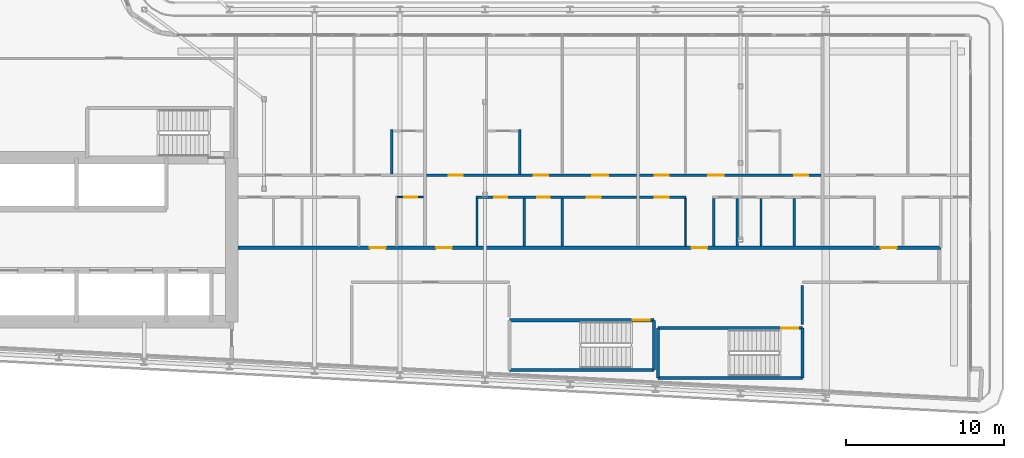
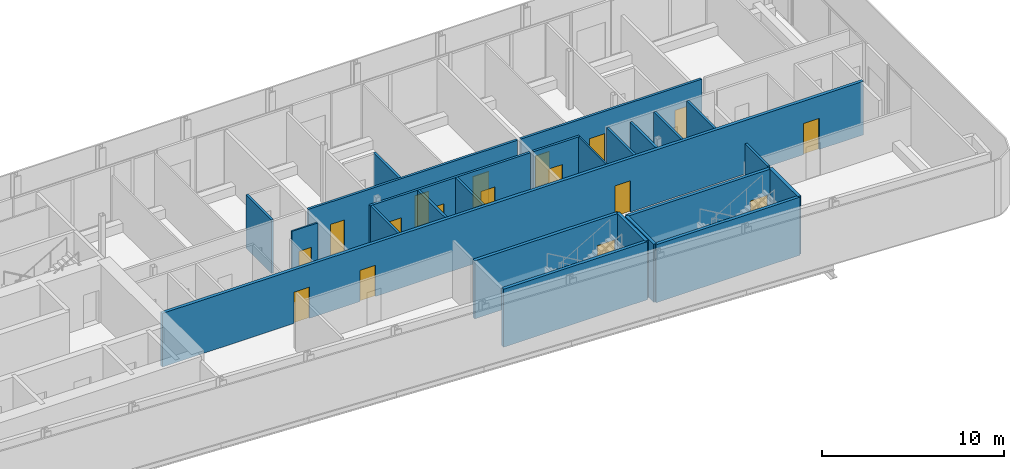
# One storey, part 16 of 28: 24 walls, 17 doors, 17 openings.
"""IFC4 building model written with IfcOpenShell, lengths in metres."""

import ifcopenshell
import ifcopenshell.guid

model = None  # the IFC model being written
_history = None  # IfcOwnerHistory: only IFC2X3 demands one
_inside = {}  # id of a spatial element -> (the spatial element, [elements in it])
_under = {}  # id of a project, library or spatial element -> (it, [spatial elements below it])
_declared = {}  # id of a project -> (the project, [libraries it declares])
_typed = {}  # id of a type object -> (the type object, [elements of that type])
_made_of = {}  # id of a material, layer set ... -> (it, [elements and type objects made of it])


def new_model(schema):
    """Start an empty IFC model of exactly this schema.

    Asked for "IFC4X3", IfcOpenShell would pick the latest addendum, in which some entities
    have other attributes; the version numbers below select the first issue.
    IFC2X3 requires an IfcOwnerHistory on every rooted entity: one is made here for all.
    """
    global model, _history
    if schema == "IFC4X3":
        model = ifcopenshell.file(schema_version=(4, 3, 0, 0))
    else:
        model = ifcopenshell.file(schema=schema)
    _inside.clear()
    _under.clear()
    _declared.clear()
    _typed.clear()
    _made_of.clear()
    _history = None
    if model.schema == "IFC2X3":
        org = make("IfcOrganization", Name="unknown")
        user = make(
            "IfcPersonAndOrganization",
            ThePerson=make("IfcPerson", FamilyName="unknown"),
            TheOrganization=org,
        )
        app = make(
            "IfcApplication",
            ApplicationDeveloper=org,
            Version="unknown",
            ApplicationFullName="unknown",
            ApplicationIdentifier="unknown",
        )
        _history = make(
            "IfcOwnerHistory",
            OwningUser=user,
            OwningApplication=app,
            ChangeAction="ADDED",
            CreationDate=0,
        )
    return model


def make(cls, **values):
    """One entity of the class cls with the attributes given. An attribute that is None is left unset."""
    return model.create_entity(
        cls, **{name: value for name, value in values.items() if value is not None}
    )


def rooted(cls, **values):
    """An entity with a GlobalId (a new one), such as an element, a storey or a relation."""
    return make(cls, GlobalId=ifcopenshell.guid.new(), OwnerHistory=_history, **values)


def si_unit(unit_type, name, prefix=None):
    """IfcSIUnit, for example si_unit("LENGTHUNIT", "METRE", prefix="MILLI")."""
    return make("IfcSIUnit", UnitType=unit_type, Prefix=prefix, Name=name)


def assignment(units):
    """IfcUnitAssignment: the units of a project."""
    return None if units is None else make("IfcUnitAssignment", Units=units)


def point(xyz):
    """IfcCartesianPoint."""
    return None if xyz is None else make("IfcCartesianPoint", Coordinates=xyz)


def direction(xyz):
    """IfcDirection."""
    return None if xyz is None else make("IfcDirection", DirectionRatios=xyz)


def frame(location, z_axis=None, x_axis=None):
    """IfcAxis2Placement3D, a coordinate frame: its origin and axes. An axis left out is left unset."""
    return make(
        "IfcAxis2Placement3D",
        Location=point(location),
        Axis=direction(z_axis),
        RefDirection=direction(x_axis),
    )


def frame_2d(location, x_axis=None):
    """IfcAxis2Placement2D, a coordinate frame in the plane: its origin and x axis."""
    return make(
        "IfcAxis2Placement2D", Location=point(location), RefDirection=direction(x_axis)
    )


def origin():
    """The frame at (0, 0, 0) with its axes left unset."""
    return frame((0.0, 0.0, 0.0))


def place(relative_to, where):
    """IfcLocalPlacement: puts the frame where relative to a parent placement (None: the world)."""
    return make(
        "IfcLocalPlacement", PlacementRelTo=relative_to, RelativePlacement=where
    )


def context(
    kind, dimensions, precision=None, world=None, true_north=None, identifier=None
):
    """IfcGeometricRepresentationContext, for example the 3D "Model" context."""
    return make(
        "IfcGeometricRepresentationContext",
        ContextIdentifier=identifier,
        ContextType=kind,
        CoordinateSpaceDimension=dimensions,
        Precision=precision,
        WorldCoordinateSystem=world,
        TrueNorth=true_north,
    )


def subcontext(parent, identifier, kind, view, scale=None):
    """IfcGeometricRepresentationSubContext, for example "Body" below "Model"."""
    return make(
        "IfcGeometricRepresentationSubContext",
        ContextIdentifier=identifier,
        ContextType=kind,
        ParentContext=parent,
        TargetScale=scale,
        TargetView=view,
    )


def project(units=None, contexts=None):
    """IfcProject with its units and contexts."""
    return rooted(
        "IfcProject",
        Name="project",
        RepresentationContexts=contexts,
        UnitsInContext=assignment(units),
    )


def spatial(cls, under=None, at=None, **own):
    """A site, building, storey or space (cls), placed at a placement, below another one or the project."""
    s = rooted(cls, ObjectPlacement=at, **own)
    if under is not None:
        _under.setdefault(under.id(), (under, []))[1].append(s)
    return s


def profile(cls, at=None, kind="AREA", **sizes):
    """A parametric profile (cls). Its sizes go by their IFC names, for example OverallWidth=200.0."""
    return make(cls, ProfileType=kind, Position=at, **sizes)


def rectangle(**sizes):
    """IfcRectangleProfileDef."""
    return profile("IfcRectangleProfileDef", **sizes)


def extrude(swept, where, along, depth):
    """IfcExtrudedAreaSolid: the profile swept, set in the frame where, extruded along a direction by depth."""
    return make(
        "IfcExtrudedAreaSolid",
        SweptArea=swept,
        Position=where,
        ExtrudedDirection=direction(along),
        Depth=depth,
    )


def shape(context_of_items, identifier, shape_type, items):
    """IfcShapeRepresentation: the items that make up one representation, for example the "Body"."""
    return make(
        "IfcShapeRepresentation",
        ContextOfItems=context_of_items,
        RepresentationIdentifier=identifier,
        RepresentationType=shape_type,
        Items=items,
    )


def source(mapping_origin, context_of_items, identifier, shape_type, items):
    """IfcRepresentationMap: a shape defined once, which mapped items show again and again."""
    return make(
        "IfcRepresentationMap",
        MappingOrigin=mapping_origin,
        MappedRepresentation=shape(context_of_items, identifier, shape_type, items),
    )


def transform(
    local_origin,
    x_axis=None,
    y_axis=None,
    z_axis=None,
    scale=None,
    scale2=None,
    scale3=None,
    uniform=True,
):
    """IfcCartesianTransformationOperator3D, or its non-uniform kind. x_axis, y_axis, z_axis: its Axis1, 2, 3."""
    if uniform:
        return make(
            "IfcCartesianTransformationOperator3D",
            Axis1=direction(x_axis),
            Axis2=direction(y_axis),
            LocalOrigin=point(local_origin),
            Scale=scale,
            Axis3=direction(z_axis),
        )
    return make(
        "IfcCartesianTransformationOperator3DnonUniform",
        Axis1=direction(x_axis),
        Axis2=direction(y_axis),
        LocalOrigin=point(local_origin),
        Scale=scale,
        Axis3=direction(z_axis),
        Scale2=scale2,
        Scale3=scale3,
    )


def mapped(mapping_source, mapping_target):
    """IfcMappedItem: shows the shape of a source again, moved by a transform."""
    return make(
        "IfcMappedItem", MappingSource=mapping_source, MappingTarget=mapping_target
    )


def material(Name=None, Category=None):
    """IfcMaterial."""
    return make("IfcMaterial", Name=Name, Category=Category)


def layer(
    of_material, thickness, ventilated=None, Name=None, Category=None, Priority=None
):
    """IfcMaterialLayer: one layer of a wall or slab, of a material (None: an air gap)."""
    return make(
        "IfcMaterialLayer",
        Material=of_material,
        LayerThickness=thickness,
        IsVentilated=ventilated,
        Name=Name,
        Category=Category,
        Priority=Priority,
    )


def layer_set(layers, Name=None):
    """IfcMaterialLayerSet."""
    return make("IfcMaterialLayerSet", MaterialLayers=layers, LayerSetName=Name)


def made_of(thing, what):
    """Note that an element or type object is made of a material, layer set ...; save() writes the relation."""
    if what is not None:
        _made_of.setdefault(what.id(), (what, []))[1].append(thing)
    return thing


def type_object(cls, material=None, **own):
    """A type object (cls), such as IfcWallType, which elements share."""
    return made_of(rooted(cls, **own), material)


def element(
    cls,
    number,
    at=None,
    inside=None,
    cuts=None,
    type_object=None,
    material=None,
    context=None,
    identifier="Body",
    shape_type=None,
    held_by="IfcProductDefinitionShape",
    body=None,
    shapes=None,
    **own,
):
    """One element of the class cls, such as IfcWall. Its Tag is "e" and its number.

    at: its placement. inside: the storey or other place that contains it. cuts: it is an
    opening in that element (IfcRelVoidsElement). A single representation is given by context,
    identifier, shape_type and body (its items); several are given by shapes. held_by: the class
    of the entity that holds the representations. save() writes the other relations.
    """
    e = rooted(cls, Tag="e%d" % number, ObjectPlacement=at, **own)
    if body is not None:
        shapes = [shape(context, identifier, shape_type, body)]
    if shapes is not None:
        e.Representation = make(held_by, Representations=shapes)
    if inside is not None:
        _inside.setdefault(inside.id(), (inside, []))[1].append(e)
    if cuts is not None:
        rooted(
            "IfcRelVoidsElement", RelatingBuildingElement=cuts, RelatedOpeningElement=e
        )
    if type_object is not None:
        _typed.setdefault(type_object.id(), (type_object, []))[1].append(e)
    return made_of(e, material)


def fill(opening, filler):
    """IfcRelFillsElement: the door or window that sits in an opening."""
    return rooted(
        "IfcRelFillsElement",
        RelatingOpeningElement=opening,
        RelatedBuildingElement=filler,
    )


def aggregate(whole, parts):
    """IfcRelAggregates: a whole, such as a stair, and the parts it consists of."""
    return rooted("IfcRelAggregates", RelatingObject=whole, RelatedObjects=parts)


def save(model, path):
    """Write the relations noted so far, then the file.

    IfcRelAggregates (storeys below a building ...), IfcRelContainedInSpatialStructure (elements
    in a storey), IfcRelDefinesByType, IfcRelAssociatesMaterial and IfcRelDeclares: one each for
    every whole, place, type object, material and project.
    """
    for whole, parts in _under.values():
        aggregate(whole, parts)
    for where, things in _inside.values():
        rooted(
            "IfcRelContainedInSpatialStructure",
            RelatedElements=things,
            RelatingStructure=where,
        )
    for kind, things in _typed.values():
        rooted("IfcRelDefinesByType", RelatedObjects=things, RelatingType=kind)
    for what, things in _made_of.values():
        rooted("IfcRelAssociatesMaterial", RelatedObjects=things, RelatingMaterial=what)
    for by, libraries in _declared.values():
        rooted("IfcRelDeclares", RelatingContext=by, RelatedDefinitions=libraries)
    model.write(path)


model = new_model("IFC4")

# Units and contexts
model_context = context("Model", 3, precision=1e-05, world=origin(), true_north=direction((0.0, 1.0)))
body_context = subcontext(model_context, "Body", "Model", "MODEL_VIEW")
ifc_project = project(units=[si_unit("LENGTHUNIT", "METRE"), si_unit("AREAUNIT", "SQUARE_METRE"), si_unit("VOLUMEUNIT", "CUBIC_METRE"), si_unit("PLANEANGLEUNIT", "RADIAN"), si_unit("MASSUNIT", "GRAM", prefix="KILO")], contexts=[model_context])

# Site, building, storey
site_placement = place(None, origin())
site = spatial("IfcSite", under=ifc_project, at=site_placement, CompositionType="ELEMENT")
building_placement = place(site_placement, origin())
building = spatial("IfcBuilding", under=site, at=building_placement, Name="Kheshtan School and Residences Tower", CompositionType="ELEMENT")
storey_placement = place(building_placement, frame((0.0, 0.0, 187.699951171875)))
storey = spatial("IfcBuildingStorey", under=building, at=storey_placement, Name="L44", CompositionType="ELEMENT", Elevation=187.699951171875)

# Wall, openings, doors
ifc_material_1 = material(Name="Gypsum board on steel studs with fire boards", Category="steel")
ifc_layer_1 = layer(ifc_material_1, 0.199951171875)
ifc_layer_set_1 = layer_set([ifc_layer_1], Name="Corridor wall 200")
wall_type_1 = type_object("IfcWallType", Name="Corridor wall 200", PredefinedType="PARTITIONING", material=ifc_layer_set_1)
wall_1_placement = place(storey_placement, frame((53.549072265625, 30.5, 0.0), z_axis=(0.0, 0.0, 1.0), x_axis=(1.0, 0.0, 0.0)))
wall_1 = element("IfcWall", 1, at=wall_1_placement, inside=storey, type_object=wall_type_1, Name="Partition L44-035", PredefinedType="PARTITIONING", context=body_context, shape_type="SweptSolid", body=[
    extrude(rectangle(XDim=44.551025390625, YDim=0.199951171875, at=frame_2d((22.275390625, 0.0))), origin(), (0.0, 0.0, 1.0), 3.60009765625),
])
opening_1_placement = place(wall_1_placement, frame((8.35107421875, 0.0, 0.0)))
opening_1 = element("IfcOpeningElement", 2, at=opening_1_placement, cuts=wall_1, Name="Opening D43-004", PredefinedType="OPENING", context=body_context, shape_type="SweptSolid", body=[
    extrude(rectangle(XDim=1.0, YDim=2.10009765625, at=frame_2d((0.5, 1.050048828125))), frame((0.0, 0.10986328125, 0.0), z_axis=(0.0, -1.0, 0.0), x_axis=(1.0, 0.0, 0.0)), (0.0, 0.0, 1.0), 0.219970703125),
])
opening_2_placement = place(wall_1_placement, frame((12.551025390625, 0.0, 0.0)))
opening_2 = element("IfcOpeningElement", 3, at=opening_2_placement, cuts=wall_1, Name="Opening D43-013", PredefinedType="OPENING", context=body_context, shape_type="SweptSolid", body=[
    extrude(rectangle(XDim=1.0, YDim=2.10009765625, at=frame_2d((0.5, 1.050048828125))), frame((0.0, 0.10986328125, 0.0), z_axis=(0.0, -1.0, 0.0), x_axis=(1.0, 0.0, 0.0)), (0.0, 0.0, 1.0), 0.219970703125),
])
opening_3_placement = place(wall_1_placement, frame((28.7509765625, 0.0, 0.0)))
opening_3 = element("IfcOpeningElement", 4, at=opening_3_placement, cuts=wall_1, Name="Opening D43-021", PredefinedType="OPENING", context=body_context, shape_type="SweptSolid", body=[
    extrude(rectangle(XDim=1.0, YDim=2.10009765625, at=frame_2d((0.5, 1.050048828125))), frame((0.0, 0.10986328125, 0.0), z_axis=(0.0, -1.0, 0.0), x_axis=(1.0, 0.0, 0.0)), (0.0, 0.0, 1.0), 0.219970703125),
])
opening_4_placement = place(wall_1_placement, frame((40.7509765625, 0.0, 0.0)))
opening_4 = element("IfcOpeningElement", 5, at=opening_4_placement, cuts=wall_1, Name="Opening D43-030", PredefinedType="OPENING", context=body_context, shape_type="SweptSolid", body=[
    extrude(rectangle(XDim=1.0, YDim=2.10009765625, at=frame_2d((0.5, 1.050048828125))), frame((0.0, 0.10986328125, 0.0), z_axis=(0.0, -1.0, 0.0), x_axis=(1.0, 0.0, 0.0)), (0.0, 0.0, 1.0), 0.219970703125),
])
ifc_material_2 = material(Name="Steel-framed fire-resisting door leaf", Category="steel")
door_type_1 = type_object("IfcDoorType", Name="Fire door FD30S 1000 x 2100", OperationType="SINGLE_SWING_LEFT", PredefinedType="DOOR", material=ifc_material_2)
shared_shape_1 = source(origin(), body_context, "Body", "SweptSolid", [
    extrude(rectangle(XDim=1.0, YDim=2.10009765625, at=frame_2d((0.5, 1.050048828125))), frame((0.0, 0.02490234375, 0.0), z_axis=(0.0, -1.0, 0.0), x_axis=(1.0, 0.0, 0.0)), (0.0, 0.0, 1.0), 0.050048828125),
])
door_1_placement = place(opening_1_placement, origin())
door_1 = element("IfcDoor", 6, at=door_1_placement, inside=storey, type_object=door_type_1, Name="Door D43-004", OperationType="SINGLE_SWING_RIGHT", OverallHeight=2.10009765625, OverallWidth=1.0, PredefinedType="DOOR", context=body_context, shape_type="MappedRepresentation", body=[
    mapped(shared_shape_1, transform((0.0, 0.0, 0.0), x_axis=(1.0, 0.0, 0.0), y_axis=(0.0, 1.0, 0.0), z_axis=(0.0, 0.0, 1.0), scale=1.0)),
])
fill(opening_1, door_1)
door_2_placement = place(opening_2_placement, origin())
door_2 = element("IfcDoor", 7, at=door_2_placement, inside=storey, type_object=door_type_1, Name="Door D43-013", OperationType="SINGLE_SWING_LEFT", OverallHeight=2.10009765625, OverallWidth=1.0, PredefinedType="DOOR", context=body_context, shape_type="MappedRepresentation", body=[
    mapped(shared_shape_1, transform((0.0, 0.0, 0.0), x_axis=(1.0, 0.0, 0.0), y_axis=(0.0, 1.0, 0.0), z_axis=(0.0, 0.0, 1.0), scale=1.0)),
])
fill(opening_2, door_2)
door_3_placement = place(opening_3_placement, origin())
door_3 = element("IfcDoor", 8, at=door_3_placement, inside=storey, type_object=door_type_1, Name="Door D43-021", OperationType="SINGLE_SWING_RIGHT", OverallHeight=2.10009765625, OverallWidth=1.0, PredefinedType="DOOR", context=body_context, shape_type="MappedRepresentation", body=[
    mapped(shared_shape_1, transform((0.0, 0.0, 0.0), x_axis=(1.0, 0.0, 0.0), y_axis=(0.0, 1.0, 0.0), z_axis=(0.0, 0.0, 1.0), scale=1.0)),
])
fill(opening_3, door_3)
door_4_placement = place(opening_4_placement, origin())
door_4 = element("IfcDoor", 9, at=door_4_placement, inside=storey, type_object=door_type_1, Name="Door D43-030", OperationType="SINGLE_SWING_RIGHT", OverallHeight=2.10009765625, OverallWidth=1.0, PredefinedType="DOOR", context=body_context, shape_type="MappedRepresentation", body=[
    mapped(shared_shape_1, transform((0.0, 0.0, 0.0), x_axis=(1.0, 0.0, 0.0), y_axis=(0.0, 1.0, 0.0), z_axis=(0.0, 0.0, 1.0), scale=1.0)),
])
fill(opening_4, door_4)

# Wall, opening, door
ifc_material_3 = material(Name="Gypsum board on steel studs", Category="steel")
ifc_layer_2 = layer(ifc_material_3, 0.10009765625)
ifc_layer_set_2 = layer_set([ifc_layer_2], Name="Gypsum partition 100")
wall_type_2 = type_object("IfcWallType", Name="Gypsum partition 100", PredefinedType="PARTITIONING", material=ifc_layer_set_2)
wall_2_placement = place(storey_placement, frame((63.64990234375, 33.699951171875, 0.0), z_axis=(0.0, 0.0, 1.0), x_axis=(1.0, 0.0, 0.0)))
wall_2 = element("IfcWall", 10, at=wall_2_placement, inside=storey, type_object=wall_type_2, Name="Partition L44-046", PredefinedType="PARTITIONING", context=body_context, shape_type="SweptSolid", body=[
    extrude(rectangle(XDim=1.650146484375, YDim=0.10009765625, at=frame_2d((0.8251953125, 0.0))), origin(), (0.0, 0.0, 1.0), 3.60009765625),
])
opening_5_placement = place(wall_2_placement, frame((0.449951171875, 0.0, 0.0)))
opening_5 = element("IfcOpeningElement", 11, at=opening_5_placement, cuts=wall_2, Name="Opening D43-008", PredefinedType="OPENING", context=body_context, shape_type="SweptSolid", body=[
    extrude(rectangle(XDim=0.800048828125, YDim=2.10009765625, at=frame_2d((0.39990234375, 1.050048828125))), frame((0.0, 0.06005859375, 0.0), z_axis=(0.0, -1.0, 0.0), x_axis=(1.0, 0.0, 0.0)), (0.0, 0.0, 1.0), 0.1201171875),
])
ifc_material_4 = material(Name="Veneered timber door leaf", Category="wood")
door_type_2 = type_object("IfcDoorType", Name="Door 800 x 2100", OperationType="SINGLE_SWING_LEFT", PredefinedType="DOOR", material=ifc_material_4)
shared_shape_2 = source(origin(), body_context, "Body", "SweptSolid", [
    extrude(rectangle(XDim=0.800048828125, YDim=2.10009765625, at=frame_2d((0.39990234375, 1.050048828125))), frame((0.0, 0.02490234375, 0.0), z_axis=(0.0, -1.0, 0.0), x_axis=(1.0, 0.0, 0.0)), (0.0, 0.0, 1.0), 0.050048828125),
])
door_5_placement = place(opening_5_placement, origin())
door_5 = element("IfcDoor", 12, at=door_5_placement, inside=storey, type_object=door_type_2, Name="Door D43-008", OperationType="SINGLE_SWING_LEFT", OverallHeight=2.10009765625, OverallWidth=0.800048828125, PredefinedType="DOOR", context=body_context, shape_type="MappedRepresentation", body=[
    mapped(shared_shape_2, transform((0.0, 0.0, 0.0), x_axis=(1.0, 0.0, 0.0), y_axis=(0.0, 1.0, 0.0), z_axis=(0.0, 0.0, 1.0), scale=1.0)),
])
fill(opening_5, door_5)

# Walls
wall_3_placement = place(storey_placement, frame((81.89990234375, 30.60009765625, 0.0), z_axis=(0.0, 0.0, 1.0), x_axis=(0.0, 1.0, 0.0)))
element("IfcWall", 13, at=wall_3_placement, inside=storey, type_object=wall_type_2, Name="Partition L44-060", PredefinedType="PARTITIONING", context=body_context, shape_type="SweptSolid", body=[
    extrude(rectangle(XDim=3.02490234375, YDim=0.10009765625, at=frame_2d((1.512451171875, 0.0))), origin(), (0.0, 0.0, 1.0), 3.60009765625),
])
ifc_material_5 = material(Name="Fire-board shaft wall system")
ifc_layer_3 = layer(ifc_material_5, 0.14990234375)
ifc_layer_set_3 = layer_set([ifc_layer_3], Name="Service room wall 150")
wall_type_3 = type_object("IfcWallType", Name="Service room wall 150", PredefinedType="PARTITIONING", material=ifc_layer_set_3)
wall_4_placement = place(storey_placement, frame((89.320068359375, 25.6201171875, 0.0), z_axis=(0.0, 0.0, 1.0), x_axis=(0.0, 1.0, 0.0)))
element("IfcWall", 14, at=wall_4_placement, inside=storey, type_object=wall_type_3, Name="Service room wall", PredefinedType="PARTITIONING", context=body_context, shape_type="SweptSolid", body=[
    extrude(rectangle(XDim=2.48486328125, YDim=0.14990234375, at=frame_2d((1.242431640625, 0.0))), origin(), (0.0, 0.0, 1.0), 3.900146484375),
])
ifc_material_6 = material(Name="Concrete C40/50", Category="concrete")
ifc_layer_4 = layer(ifc_material_6, 0.199951171875)
ifc_layer_set_4 = layer_set([ifc_layer_4], Name="Stair enclosure wall 200 Concrete C40/50")
wall_type_4 = type_object("IfcWallType", Name="Stair enclosure wall 200 Concrete C40/50", PredefinedType="SHEAR", material=ifc_layer_set_4)
wall_5_placement = place(storey_placement, frame((80.159912109375, 22.25, 0.0), z_axis=(0.0, 0.0, 1.0), x_axis=(1.0, 0.0, 0.0)))
element("IfcWall", 15, at=wall_5_placement, inside=storey, type_object=wall_type_4, Name="Stair enclosure wall ST4", PredefinedType="SHEAR", context=body_context, shape_type="SweptSolid", body=[
    extrude(rectangle(XDim=9.16015625, YDim=0.199951171875, at=frame_2d((4.580078125, 0.0))), origin(), (0.0, 0.0, 1.0), 3.900146484375),
])

# Wall, opening, door
wall_6_placement = place(storey_placement, frame((80.159912109375, 25.39990234375, 0.0), z_axis=(0.0, 0.0, 1.0), x_axis=(1.0, 0.0, 0.0)))
wall_6 = element("IfcWall", 16, at=wall_6_placement, inside=storey, type_object=wall_type_4, Name="Stair enclosure wall ST4", PredefinedType="SHEAR", context=body_context, shape_type="SweptSolid", body=[
    extrude(rectangle(XDim=9.16015625, YDim=0.199951171875, at=frame_2d((4.580078125, 0.0))), origin(), (0.0, 0.0, 1.0), 3.900146484375),
])
opening_6_placement = place(wall_6_placement, frame((7.81005859375, 0.0, 0.0)))
opening_6 = element("IfcOpeningElement", 17, at=opening_6_placement, cuts=wall_6, Name="Opening ST4D", PredefinedType="OPENING", context=body_context, shape_type="SweptSolid", body=[
    extrude(rectangle(XDim=1.10009765625, YDim=2.199951171875, at=frame_2d((0.550048828125, 1.10009765625))), frame((0.0, 0.10986328125, 0.0), z_axis=(0.0, -1.0, 0.0), x_axis=(1.0, 0.0, 0.0)), (0.0, 0.0, 1.0), 0.219970703125),
])
ifc_material_7 = material(Name="Steel door leaf, galvanised", Category="steel")
door_type_3 = type_object("IfcDoorType", Name="Stair door 1100 steel 90 min", OperationType="SINGLE_SWING_LEFT", PredefinedType="DOOR", material=ifc_material_7)
shared_shape_3 = source(origin(), body_context, "Body", "SweptSolid", [
    extrude(rectangle(XDim=1.10009765625, YDim=2.199951171875, at=frame_2d((0.550048828125, 1.10009765625))), frame((0.0, 0.02490234375, 0.0), z_axis=(0.0, -1.0, 0.0), x_axis=(1.0, 0.0, 0.0)), (0.0, 0.0, 1.0), 0.050048828125),
])
door_6_placement = place(opening_6_placement, origin())
door_6 = element("IfcDoor", 18, at=door_6_placement, inside=storey, type_object=door_type_3, Name="Stair ST4 door", OperationType="SINGLE_SWING_LEFT", OverallHeight=2.199951171875, OverallWidth=1.10009765625, PredefinedType="DOOR", context=body_context, shape_type="MappedRepresentation", body=[
    mapped(shared_shape_3, transform((0.0, 0.0, 0.0), x_axis=(1.0, 0.0, 0.0), y_axis=(0.0, 1.0, 0.0), z_axis=(0.0, 0.0, 1.0), scale=1.0)),
])
fill(opening_6, door_6)

# Walls
for number, where, z_axis, x_axis, name in (
    (19, (80.159912109375, 22.25, 0.0), (0.0, 0.0, 1.0), (0.0, 1.0, 0.0), "Stair enclosure wall ST4"),
    (20, (89.320068359375, 22.25, 0.0), (0.0, 0.0, 1.0), (0.0, 1.0, 0.0), "Stair enclosure wall ST4"),
):
    element("IfcWall", number, at=place(storey_placement, frame(where, z_axis=z_axis, x_axis=x_axis)), inside=storey, type_object=wall_type_4, Name=name, PredefinedType="SHEAR", context=body_context, shape_type="SweptSolid", body=[
        extrude(rectangle(XDim=3.14990234375, YDim=0.199951171875, at=frame_2d((1.574951171875, 0.0))), origin(), (0.0, 0.0, 1.0), 3.900146484375),
    ])
wall_7_placement = place(storey_placement, frame((70.75, 22.75, 0.0), z_axis=(0.0, 0.0, 1.0), x_axis=(1.0, 0.0, 0.0)))
element("IfcWall", 21, at=wall_7_placement, inside=storey, type_object=wall_type_4, Name="Stair enclosure wall ST5", PredefinedType="SHEAR", context=body_context, shape_type="SweptSolid", body=[
    extrude(rectangle(XDim=9.159912109375, YDim=0.199951171875, at=frame_2d((4.580078125, 0.0))), origin(), (0.0, 0.0, 1.0), 3.900146484375),
])

# Wall, opening, door
wall_8_placement = place(storey_placement, frame((70.75, 25.89990234375, 0.0), z_axis=(0.0, 0.0, 1.0), x_axis=(1.0, 0.0, 0.0)))
wall_8 = element("IfcWall", 22, at=wall_8_placement, inside=storey, type_object=wall_type_4, Name="Stair enclosure wall ST5", PredefinedType="SHEAR", context=body_context, shape_type="SweptSolid", body=[
    extrude(rectangle(XDim=9.159912109375, YDim=0.199951171875, at=frame_2d((4.580078125, 0.0))), origin(), (0.0, 0.0, 1.0), 3.900146484375),
])
opening_7_placement = place(wall_8_placement, frame((7.81005859375, 0.0, 0.0)))
opening_7 = element("IfcOpeningElement", 23, at=opening_7_placement, cuts=wall_8, Name="Opening ST5D", PredefinedType="OPENING", context=body_context, shape_type="SweptSolid", body=[
    extrude(rectangle(XDim=1.10009765625, YDim=2.199951171875, at=frame_2d((0.550048828125, 1.10009765625))), frame((0.0, 0.10986328125, 0.0), z_axis=(0.0, -1.0, 0.0), x_axis=(1.0, 0.0, 0.0)), (0.0, 0.0, 1.0), 0.219970703125),
])
door_7_placement = place(opening_7_placement, origin())
door_7 = element("IfcDoor", 24, at=door_7_placement, inside=storey, type_object=door_type_3, Name="Stair ST5 door", OperationType="SINGLE_SWING_LEFT", OverallHeight=2.199951171875, OverallWidth=1.10009765625, PredefinedType="DOOR", context=body_context, shape_type="MappedRepresentation", body=[
    mapped(shared_shape_3, transform((0.0, 0.0, 0.0), x_axis=(1.0, 0.0, 0.0), y_axis=(0.0, 1.0, 0.0), z_axis=(0.0, 0.0, 1.0), scale=1.0)),
])
fill(opening_7, door_7)

# Walls
wall_9_placement = place(storey_placement, frame((79.909912109375, 22.75, 0.0), z_axis=(0.0, 0.0, 1.0), x_axis=(0.0, 1.0, 0.0)))
element("IfcWall", 25, at=wall_9_placement, inside=storey, type_object=wall_type_4, Name="Stair enclosure wall ST5", PredefinedType="SHEAR", context=body_context, shape_type="SweptSolid", body=[
    extrude(rectangle(XDim=3.14990234375, YDim=0.199951171875, at=frame_2d((1.574951171875, 0.0))), origin(), (0.0, 0.0, 1.0), 3.900146484375),
])
ifc_material_8 = material(Name="Moisture-resistant gypsum board on steel studs", Category="steel")
ifc_layer_5 = layer(ifc_material_8, 0.14990234375)
ifc_layer_set_5 = layer_set([ifc_layer_5], Name="Wet-room partition 150")
wall_type_5 = type_object("IfcWallType", Name="Wet-room partition 150", PredefinedType="PARTITIONING", material=ifc_layer_set_5)
wall_10_placement = place(storey_placement, frame((63.300048828125, 35.175048828125, 0.0), z_axis=(0.0, 0.0, 1.0), x_axis=(0.0, 1.0, 0.0)))
element("IfcWall", 26, at=wall_10_placement, inside=storey, type_object=wall_type_5, Name="Partition L44-043", PredefinedType="PARTITIONING", context=body_context, shape_type="SweptSolid", body=[
    extrude(rectangle(XDim=2.800048828125, YDim=0.14990234375, at=frame_2d((1.39990234375, 0.0))), origin(), (0.0, 0.0, 1.0), 3.60009765625),
])

# Wall, openings, doors
wall_11_placement = place(storey_placement, frame((65.5, 35.10009765625, 0.0), z_axis=(0.0, 0.0, 1.0), x_axis=(1.0, 0.0, 0.0)))
wall_11 = element("IfcWall", 27, at=wall_11_placement, inside=storey, type_object=wall_type_5, Name="Partition L44-048", PredefinedType="PARTITIONING", context=body_context, shape_type="SweptSolid", body=[
    extrude(rectangle(XDim=13.300048828125, YDim=0.14990234375, at=frame_2d((6.64990234375, 0.0))), origin(), (0.0, 0.0, 1.0), 3.60009765625),
])
opening_8_placement = place(wall_11_placement, frame((1.39990234375, 0.0, 0.0)))
opening_8 = element("IfcOpeningElement", 28, at=opening_8_placement, cuts=wall_11, Name="Opening D43-011", PredefinedType="OPENING", context=body_context, shape_type="SweptSolid", body=[
    extrude(rectangle(XDim=0.89990234375, YDim=2.10009765625, at=frame_2d((0.449951171875, 1.050048828125))), frame((0.0, 0.0849609375, 0.0), z_axis=(0.0, -1.0, 0.0), x_axis=(1.0, 0.0, 0.0)), (0.0, 0.0, 1.0), 0.169921875),
])
opening_9_placement = place(wall_11_placement, frame((10.5, 0.0, 0.0)))
opening_9 = element("IfcOpeningElement", 29, at=opening_9_placement, cuts=wall_11, Name="Opening D43-015", PredefinedType="OPENING", context=body_context, shape_type="SweptSolid", body=[
    extrude(rectangle(XDim=1.0, YDim=2.10009765625, at=frame_2d((0.5, 1.050048828125))), frame((0.0, 0.0849609375, 0.0), z_axis=(0.0, -1.0, 0.0), x_axis=(1.0, 0.0, 0.0)), (0.0, 0.0, 1.0), 0.169921875),
])
opening_10_placement = place(wall_11_placement, frame((6.800048828125, 0.0, 0.0)))
opening_10 = element("IfcOpeningElement", 30, at=opening_10_placement, cuts=wall_11, Name="Opening D43-016", PredefinedType="OPENING", context=body_context, shape_type="SweptSolid", body=[
    extrude(rectangle(XDim=0.89990234375, YDim=2.10009765625, at=frame_2d((0.449951171875, 1.050048828125))), frame((0.0, 0.0849609375, 0.0), z_axis=(0.0, -1.0, 0.0), x_axis=(1.0, 0.0, 0.0)), (0.0, 0.0, 1.0), 0.169921875),
])
door_type_4 = type_object("IfcDoorType", Name="Door 1000 x 2100", OperationType="SINGLE_SWING_LEFT", PredefinedType="DOOR", material=ifc_material_4)
shared_shape_4 = source(origin(), body_context, "Body", "SweptSolid", [
    extrude(rectangle(XDim=1.0, YDim=2.10009765625, at=frame_2d((0.5, 1.050048828125))), frame((0.0, 0.02490234375, 0.0), z_axis=(0.0, -1.0, 0.0), x_axis=(1.0, 0.0, 0.0)), (0.0, 0.0, 1.0), 0.050048828125),
])
door_8_placement = place(opening_9_placement, origin())
door_8 = element("IfcDoor", 31, at=door_8_placement, inside=storey, type_object=door_type_4, Name="Door D43-015", OperationType="SINGLE_SWING_RIGHT", OverallHeight=2.10009765625, OverallWidth=1.0, PredefinedType="DOOR", context=body_context, shape_type="MappedRepresentation", body=[
    mapped(shared_shape_4, transform((0.0, 0.0, 0.0), x_axis=(1.0, 0.0, 0.0), y_axis=(0.0, 1.0, 0.0), z_axis=(0.0, 0.0, 1.0), scale=1.0)),
])
fill(opening_9, door_8)
door_type_5 = type_object("IfcDoorType", Name="Door 900 x 2100", OperationType="SINGLE_SWING_LEFT", PredefinedType="DOOR", material=ifc_material_4)
shared_shape_5 = source(origin(), body_context, "Body", "SweptSolid", [
    extrude(rectangle(XDim=0.89990234375, YDim=2.10009765625, at=frame_2d((0.449951171875, 1.050048828125))), frame((0.0, 0.02490234375, 0.0), z_axis=(0.0, -1.0, 0.0), x_axis=(1.0, 0.0, 0.0)), (0.0, 0.0, 1.0), 0.050048828125),
])
door_9_placement = place(opening_8_placement, origin())
door_9 = element("IfcDoor", 32, at=door_9_placement, inside=storey, type_object=door_type_5, Name="Door D43-011", OperationType="SINGLE_SWING_RIGHT", OverallHeight=2.10009765625, OverallWidth=0.89990234375, PredefinedType="DOOR", context=body_context, shape_type="MappedRepresentation", body=[
    mapped(shared_shape_5, transform((0.0, 0.0, 0.0), x_axis=(1.0, 0.0, 0.0), y_axis=(0.0, 1.0, 0.0), z_axis=(0.0, 0.0, 1.0), scale=1.0)),
])
fill(opening_8, door_9)
door_10_placement = place(opening_10_placement, origin())
door_10 = element("IfcDoor", 33, at=door_10_placement, inside=storey, type_object=door_type_5, Name="Door D43-016", OperationType="SINGLE_SWING_LEFT", OverallHeight=2.10009765625, OverallWidth=0.89990234375, PredefinedType="DOOR", context=body_context, shape_type="MappedRepresentation", body=[
    mapped(shared_shape_5, transform((0.0, 0.0, 0.0), x_axis=(1.0, 0.0, 0.0), y_axis=(0.0, 1.0, 0.0), z_axis=(0.0, 0.0, 1.0), scale=1.0)),
])
fill(opening_10, door_10)

wall_12_placement = place(storey_placement, frame((68.625, 33.699951171875, 0.0), z_axis=(0.0, 0.0, 1.0), x_axis=(1.0, 0.0, 0.0)))
wall_12 = element("IfcWall", 34, at=wall_12_placement, inside=storey, type_object=wall_type_5, Name="Partition L44-049", PredefinedType="PARTITIONING", context=body_context, shape_type="SweptSolid", body=[
    extrude(rectangle(XDim=10.175048828125, YDim=0.14990234375, at=frame_2d((5.08740234375, 0.0))), origin(), (0.0, 0.0, 1.0), 3.60009765625),
])
opening_11_placement = place(wall_12_placement, frame((1.175048828125, 0.0, 0.0)))
opening_11 = element("IfcOpeningElement", 35, at=opening_11_placement, cuts=wall_12, Name="Opening D43-010", PredefinedType="OPENING", context=body_context, shape_type="SweptSolid", body=[
    extrude(rectangle(XDim=0.800048828125, YDim=2.10009765625, at=frame_2d((0.39990234375, 1.050048828125))), frame((0.0, 0.0849609375, 0.0), z_axis=(0.0, -1.0, 0.0), x_axis=(1.0, 0.0, 0.0)), (0.0, 0.0, 1.0), 0.169921875),
])
opening_12_placement = place(wall_12_placement, frame((7.02490234375, 0.0, 0.0)))
opening_12 = element("IfcOpeningElement", 36, at=opening_12_placement, cuts=wall_12, Name="Opening D43-014", PredefinedType="OPENING", context=body_context, shape_type="SweptSolid", body=[
    extrude(rectangle(XDim=0.89990234375, YDim=2.10009765625, at=frame_2d((0.449951171875, 1.050048828125))), frame((0.0, 0.0849609375, 0.0), z_axis=(0.0, -1.0, 0.0), x_axis=(1.0, 0.0, 0.0)), (0.0, 0.0, 1.0), 0.169921875),
])
opening_13_placement = place(wall_12_placement, frame((3.875, 0.0, 0.0)))
opening_13 = element("IfcOpeningElement", 37, at=opening_13_placement, cuts=wall_12, Name="Opening D43-017", PredefinedType="OPENING", context=body_context, shape_type="SweptSolid", body=[
    extrude(rectangle(XDim=0.800048828125, YDim=2.10009765625, at=frame_2d((0.39990234375, 1.050048828125))), frame((0.0, 0.0849609375, 0.0), z_axis=(0.0, -1.0, 0.0), x_axis=(1.0, 0.0, 0.0)), (0.0, 0.0, 1.0), 0.169921875),
])
door_11_placement = place(opening_11_placement, origin())
door_11 = element("IfcDoor", 38, at=door_11_placement, inside=storey, type_object=door_type_2, Name="Door D43-010", OperationType="SINGLE_SWING_LEFT", OverallHeight=2.10009765625, OverallWidth=0.800048828125, PredefinedType="DOOR", context=body_context, shape_type="MappedRepresentation", body=[
    mapped(shared_shape_2, transform((0.0, 0.0, 0.0), x_axis=(1.0, 0.0, 0.0), y_axis=(0.0, 1.0, 0.0), z_axis=(0.0, 0.0, 1.0), scale=1.0)),
])
fill(opening_11, door_11)
door_12_placement = place(opening_13_placement, origin())
door_12 = element("IfcDoor", 39, at=door_12_placement, inside=storey, type_object=door_type_2, Name="Door D43-017", OperationType="SINGLE_SWING_RIGHT", OverallHeight=2.10009765625, OverallWidth=0.800048828125, PredefinedType="DOOR", context=body_context, shape_type="MappedRepresentation", body=[
    mapped(shared_shape_2, transform((0.0, 0.0, 0.0), x_axis=(1.0, 0.0, 0.0), y_axis=(0.0, 1.0, 0.0), z_axis=(0.0, 0.0, 1.0), scale=1.0)),
])
fill(opening_13, door_12)
door_13_placement = place(opening_12_placement, origin())
door_13 = element("IfcDoor", 40, at=door_13_placement, inside=storey, type_object=door_type_5, Name="Door D43-014", OperationType="SINGLE_SWING_LEFT", OverallHeight=2.10009765625, OverallWidth=0.89990234375, PredefinedType="DOOR", context=body_context, shape_type="MappedRepresentation", body=[
    mapped(shared_shape_5, transform((0.0, 0.0, 0.0), x_axis=(1.0, 0.0, 0.0), y_axis=(0.0, 1.0, 0.0), z_axis=(0.0, 0.0, 1.0), scale=1.0)),
])
fill(opening_12, door_13)

# Walls
wall_13_placement = place(storey_placement, frame((68.699951171875, 30.60009765625, 0.0), z_axis=(0.0, 0.0, 1.0), x_axis=(0.0, 1.0, 0.0)))
element("IfcWall", 41, at=wall_13_placement, inside=storey, type_object=wall_type_5, Name="Partition L44-050", PredefinedType="PARTITIONING", context=body_context, shape_type="SweptSolid", body=[
    extrude(rectangle(XDim=3.02490234375, YDim=0.14990234375, at=frame_2d((1.512451171875, 0.0))), origin(), (0.0, 0.0, 1.0), 3.60009765625),
])
wall_14_placement = place(storey_placement, frame((71.39990234375, 35.175048828125, 0.0), z_axis=(0.0, 0.0, 1.0), x_axis=(0.0, 1.0, 0.0)))
element("IfcWall", 42, at=wall_14_placement, inside=storey, type_object=wall_type_5, Name="Partition L44-053", PredefinedType="PARTITIONING", context=body_context, shape_type="SweptSolid", body=[
    extrude(rectangle(XDim=2.800048828125, YDim=0.14990234375, at=frame_2d((1.39990234375, 0.0))), origin(), (0.0, 0.0, 1.0), 3.60009765625),
])
for number, where, z_axis, x_axis, name in (
    (43, (71.699951171875, 30.60009765625, 0.0), (0.0, 0.0, 1.0), (0.0, 1.0, 0.0), "Partition L44-054"),
    (44, (74.10009765625, 30.60009765625, 0.0), (0.0, 0.0, 1.0), (0.0, 1.0, 0.0), "Partition L44-055"),
):
    element("IfcWall", number, at=place(storey_placement, frame(where, z_axis=z_axis, x_axis=x_axis)), inside=storey, type_object=wall_type_5, Name=name, PredefinedType="PARTITIONING", context=body_context, shape_type="SweptSolid", body=[
        extrude(rectangle(XDim=3.02490234375, YDim=0.14990234375, at=frame_2d((1.512451171875, 0.0))), origin(), (0.0, 0.0, 1.0), 3.60009765625),
    ])

# Wall, opening, door
wall_15_placement = place(storey_placement, frame((79.0, 33.699951171875, 0.0), z_axis=(0.0, 0.0, 1.0), x_axis=(1.0, 0.0, 0.0)))
wall_15 = element("IfcWall", 45, at=wall_15_placement, inside=storey, type_object=wall_type_5, Name="Partition L44-058", PredefinedType="PARTITIONING", context=body_context, shape_type="SweptSolid", body=[
    extrude(rectangle(XDim=2.949951171875, YDim=0.14990234375, at=frame_2d((1.47509765625, 0.0))), origin(), (0.0, 0.0, 1.0), 3.60009765625),
])
opening_14_placement = place(wall_15_placement, frame((0.949951171875, 0.0, 0.0)))
opening_14 = element("IfcOpeningElement", 46, at=opening_14_placement, cuts=wall_15, Name="Opening D43-022", PredefinedType="OPENING", context=body_context, shape_type="SweptSolid", body=[
    extrude(rectangle(XDim=0.89990234375, YDim=2.10009765625, at=frame_2d((0.449951171875, 1.050048828125))), frame((0.0, 0.0849609375, 0.0), z_axis=(0.0, -1.0, 0.0), x_axis=(1.0, 0.0, 0.0)), (0.0, 0.0, 1.0), 0.169921875),
])
door_14_placement = place(opening_14_placement, origin())
door_14 = element("IfcDoor", 47, at=door_14_placement, inside=storey, type_object=door_type_5, Name="Door D43-022", OperationType="SINGLE_SWING_RIGHT", OverallHeight=2.10009765625, OverallWidth=0.89990234375, PredefinedType="DOOR", context=body_context, shape_type="MappedRepresentation", body=[
    mapped(shared_shape_5, transform((0.0, 0.0, 0.0), x_axis=(1.0, 0.0, 0.0), y_axis=(0.0, 1.0, 0.0), z_axis=(0.0, 0.0, 1.0), scale=1.0)),
])
fill(opening_14, door_14)

# Wall, openings, doors
wall_16_placement = place(storey_placement, frame((79.0, 35.10009765625, 0.0), z_axis=(0.0, 0.0, 1.0), x_axis=(1.0, 0.0, 0.0)))
wall_16 = element("IfcWall", 48, at=wall_16_placement, inside=storey, type_object=wall_type_5, Name="Partition L44-059", PredefinedType="PARTITIONING", context=body_context, shape_type="SweptSolid", body=[
    extrude(rectangle(XDim=11.5, YDim=0.14990234375, at=frame_2d((5.75, 0.0))), origin(), (0.0, 0.0, 1.0), 3.60009765625),
])
opening_15_placement = place(wall_16_placement, frame((0.949951171875, 0.0, 0.0)))
opening_15 = element("IfcOpeningElement", 49, at=opening_15_placement, cuts=wall_16, Name="Opening D43-019", PredefinedType="OPENING", context=body_context, shape_type="SweptSolid", body=[
    extrude(rectangle(XDim=0.89990234375, YDim=2.10009765625, at=frame_2d((0.449951171875, 1.050048828125))), frame((0.0, 0.0849609375, 0.0), z_axis=(0.0, -1.0, 0.0), x_axis=(1.0, 0.0, 0.0)), (0.0, 0.0, 1.0), 0.169921875),
])
opening_16_placement = place(wall_16_placement, frame((4.35009765625, 0.0, 0.0)))
opening_16 = element("IfcOpeningElement", 50, at=opening_16_placement, cuts=wall_16, Name="Opening D43-024", PredefinedType="OPENING", context=body_context, shape_type="SweptSolid", body=[
    extrude(rectangle(XDim=1.0, YDim=2.10009765625, at=frame_2d((0.5, 1.050048828125))), frame((0.0, 0.0849609375, 0.0), z_axis=(0.0, -1.0, 0.0), x_axis=(1.0, 0.0, 0.0)), (0.0, 0.0, 1.0), 0.169921875),
])
opening_17_placement = place(wall_16_placement, frame((9.800048828125, 0.0, 0.0)))
opening_17 = element("IfcOpeningElement", 51, at=opening_17_placement, cuts=wall_16, Name="Opening D43-025", PredefinedType="OPENING", context=body_context, shape_type="SweptSolid", body=[
    extrude(rectangle(XDim=0.89990234375, YDim=2.10009765625, at=frame_2d((0.449951171875, 1.050048828125))), frame((0.0, 0.0849609375, 0.0), z_axis=(0.0, -1.0, 0.0), x_axis=(1.0, 0.0, 0.0)), (0.0, 0.0, 1.0), 0.169921875),
])
door_15_placement = place(opening_16_placement, origin())
door_15 = element("IfcDoor", 52, at=door_15_placement, inside=storey, type_object=door_type_4, Name="Door D43-024", OperationType="SINGLE_SWING_LEFT", OverallHeight=2.10009765625, OverallWidth=1.0, PredefinedType="DOOR", context=body_context, shape_type="MappedRepresentation", body=[
    mapped(shared_shape_4, transform((0.0, 0.0, 0.0), x_axis=(1.0, 0.0, 0.0), y_axis=(0.0, 1.0, 0.0), z_axis=(0.0, 0.0, 1.0), scale=1.0)),
])
fill(opening_16, door_15)
door_16_placement = place(opening_15_placement, origin())
door_16 = element("IfcDoor", 53, at=door_16_placement, inside=storey, type_object=door_type_5, Name="Door D43-019", OperationType="SINGLE_SWING_RIGHT", OverallHeight=2.10009765625, OverallWidth=0.89990234375, PredefinedType="DOOR", context=body_context, shape_type="MappedRepresentation", body=[
    mapped(shared_shape_5, transform((0.0, 0.0, 0.0), x_axis=(1.0, 0.0, 0.0), y_axis=(0.0, 1.0, 0.0), z_axis=(0.0, 0.0, 1.0), scale=1.0)),
])
fill(opening_15, door_16)
door_17_placement = place(opening_17_placement, origin())
door_17 = element("IfcDoor", 54, at=door_17_placement, inside=storey, type_object=door_type_5, Name="Door D43-025", OperationType="SINGLE_SWING_LEFT", OverallHeight=2.10009765625, OverallWidth=0.89990234375, PredefinedType="DOOR", context=body_context, shape_type="MappedRepresentation", body=[
    mapped(shared_shape_5, transform((0.0, 0.0, 0.0), x_axis=(1.0, 0.0, 0.0), y_axis=(0.0, 1.0, 0.0), z_axis=(0.0, 0.0, 1.0), scale=1.0)),
])
fill(opening_17, door_17)

# Walls
wall_17_placement = place(storey_placement, frame((83.699951171875, 30.60009765625, 0.0), z_axis=(0.0, 0.0, 1.0), x_axis=(0.0, 1.0, 0.0)))
element("IfcWall", 55, at=wall_17_placement, inside=storey, type_object=wall_type_5, Name="Partition L44-063", PredefinedType="PARTITIONING", context=body_context, shape_type="SweptSolid", body=[
    extrude(rectangle(XDim=3.02490234375, YDim=0.14990234375, at=frame_2d((1.512451171875, 0.0))), origin(), (0.0, 0.0, 1.0), 3.60009765625),
])
wall_18_placement = place(storey_placement, frame((85.199951171875, 30.60009765625, 0.0), z_axis=(0.0, 0.0, 1.0), x_axis=(0.0, 1.0, 0.0)))
element("IfcWall", 56, at=wall_18_placement, inside=storey, type_object=wall_type_5, Name="Partition L44-064", PredefinedType="PARTITIONING", context=body_context, shape_type="SweptSolid", body=[
    extrude(rectangle(XDim=3.02490234375, YDim=0.14990234375, at=frame_2d((1.512451171875, 0.0))), origin(), (0.0, 0.0, 1.0), 3.447021484375),
])
for number, where, z_axis, x_axis, name in (
    (57, (86.699951171875, 30.60009765625, 0.0), (0.0, 0.0, 1.0), (0.0, 1.0, 0.0), "Partition L44-067"),
    (58, (88.800048828125, 30.60009765625, 0.0), (0.0, 0.0, 1.0), (0.0, 1.0, 0.0), "Partition L44-069"),
):
    element("IfcWall", number, at=place(storey_placement, frame(where, z_axis=z_axis, x_axis=x_axis)), inside=storey, type_object=wall_type_5, Name=name, PredefinedType="PARTITIONING", context=body_context, shape_type="SweptSolid", body=[
        extrude(rectangle(XDim=3.02490234375, YDim=0.14990234375, at=frame_2d((1.512451171875, 0.0))), origin(), (0.0, 0.0, 1.0), 3.60009765625),
    ])

save(model, "model.ifc")
